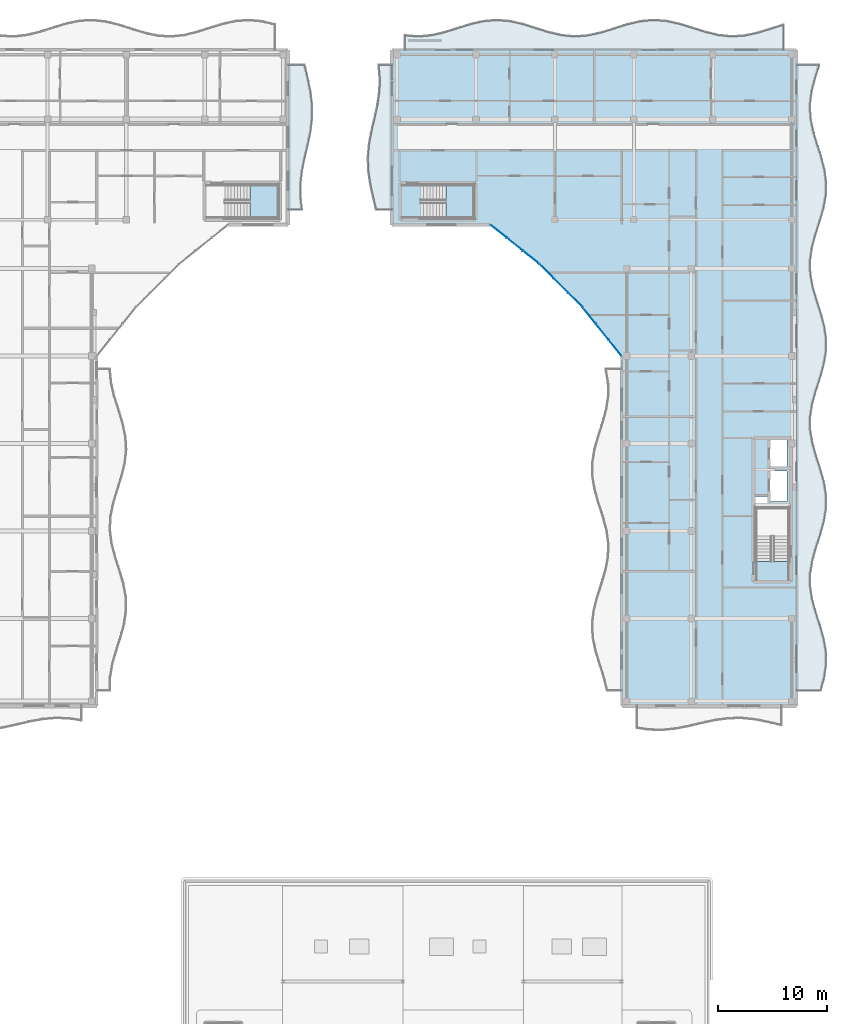
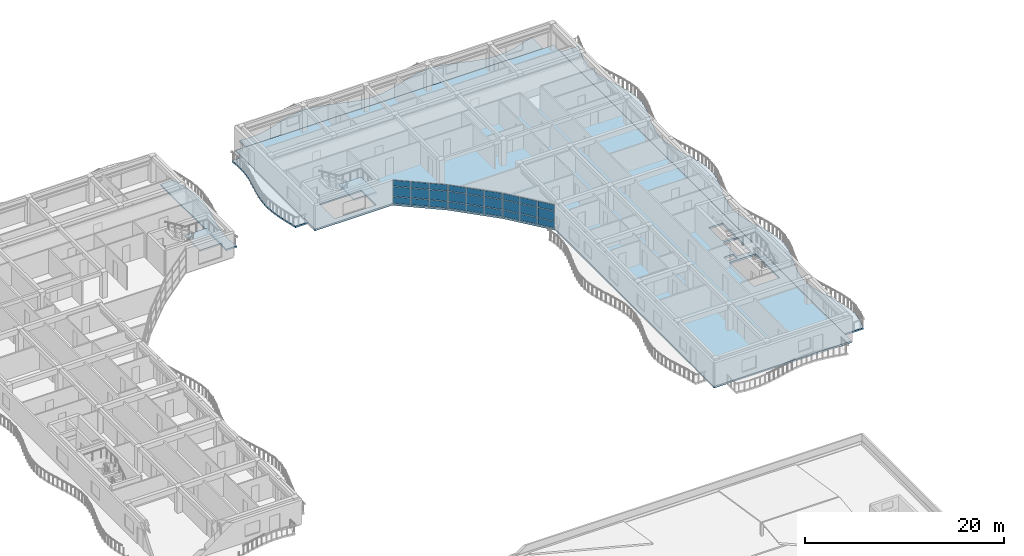
# One storey, part 35 of 79: 27 plates, 7 slabs, 5 elements without a shape of their own.
"""IFC4 building model written with IfcOpenShell, lengths in metres."""

from ifc_helpers import new_model, si_unit, direction, frame, origin, origin_2d, place, context, subcontext, project, spatial, polyline, rectangle, outline, extrude, material, layer, layer_set, type_object, element, aggregate, save


model = new_model("IFC4")

# Units and contexts
model_context = context("Model", 3, precision=1e-05, world=origin(), true_north=direction((0.0, 1.0)))
body_context = subcontext(model_context, "Body", "Model", "MODEL_VIEW")
ifc_project = project(units=[si_unit("LENGTHUNIT", "METRE"), si_unit("AREAUNIT", "SQUARE_METRE"), si_unit("VOLUMEUNIT", "CUBIC_METRE"), si_unit("PLANEANGLEUNIT", "RADIAN"), si_unit("MASSUNIT", "GRAM", prefix="KILO")], contexts=[model_context])

# Site, building, storey
site_placement = place(None, origin())
site = spatial("IfcSite", under=ifc_project, at=site_placement, CompositionType="ELEMENT")
building_placement = place(site_placement, origin())
building = spatial("IfcBuilding", under=site, at=building_placement, Name="Keldmere Railside Commons", CompositionType="ELEMENT")
storey_placement = place(building_placement, frame((0.0, 0.0, 10.56005859375)))
storey = spatial("IfcBuildingStorey", under=building, at=storey_placement, Name="L03", CompositionType="ELEMENT", Elevation=10.56005859375)

# Curtain wall, plates
ifc_material_1 = material(Name="Thermally Broken Aluminium", Category="aluminium")
ifc_layer_1 = layer(ifc_material_1, 0.159912109375, Name="Court Chord Wintergarden CW 5400x2850")
ifc_layer_set_1 = layer_set([ifc_layer_1], Name="Thermally Broken Aluminium")
curtain_wall_type_1 = type_object("IfcCurtainWallType", Name="Court Chord Wintergarden CW 5400x2850", PredefinedType="NOTDEFINED", material=ifc_layer_set_1)
curtain_wall_1_placement = place(storey_placement, origin())
curtain_wall_1 = element("IfcCurtainWall", 1, at=curtain_wall_1_placement, inside=storey, type_object=curtain_wall_type_1, Name="CW-13 CW-L03-166", PredefinedType="NOTDEFINED")
ifc_material_2 = material(Name="Low-E Insulated Double Glazing", Category="glass")
ifc_layer_2 = layer(ifc_material_2, 0.033935546875, Name="Acoustic Laminated Vision Panel 34")
ifc_layer_set_2 = layer_set([ifc_layer_2], Name="Low-E Insulated Double Glazing")
plate_type_1 = type_object("IfcPlateType", Name="Acoustic Laminated Vision Panel 34", PredefinedType="CURTAIN_PANEL", material=ifc_layer_set_2)
plate_1_placement = place(storey_placement, frame((159.678955078125, 97.048583984375, 0.06494140625), z_axis=(0.0, 0.0, 1.0), x_axis=(-0.780009172323, 0.625768080915, 0.0)))
plate_1 = element("IfcPlate", 2, at=plate_1_placement, type_object=plate_type_1, Name="CW-13 panel 1.1", PredefinedType="CURTAIN_PANEL", context=body_context, shape_type="SweptSolid", body=[
    extrude(rectangle(XDim=1.795654296875, YDim=0.033935546875, at=origin_2d()), origin(), (0.0, 0.0, 1.0), 0.802490234375),
])
plate_2_placement = place(storey_placement, frame((159.678955078125, 97.048583984375, 0.932373046875), z_axis=(0.0, 0.0, 1.0), x_axis=(-0.780009172323, 0.625768080915, 0.0)))
plate_2 = element("IfcPlate", 3, at=plate_2_placement, type_object=plate_type_1, Name="CW-13 panel 1.2", PredefinedType="CURTAIN_PANEL", context=body_context, shape_type="SweptSolid", body=[
    extrude(rectangle(XDim=1.795654296875, YDim=0.033935546875, at=origin_2d()), origin(), (0.0, 0.0, 1.0), 1.18505859375),
])
plate_3_placement = place(storey_placement, frame((159.678955078125, 97.048583984375, 2.182373046875), z_axis=(0.0, 0.0, 1.0), x_axis=(-0.780009172323, 0.625768080915, 0.0)))
plate_3 = element("IfcPlate", 4, at=plate_3_placement, type_object=plate_type_1, Name="CW-13 panel 1.3", PredefinedType="CURTAIN_PANEL", context=body_context, shape_type="SweptSolid", body=[
    extrude(rectangle(XDim=1.795654296875, YDim=0.033935546875, at=origin_2d()), origin(), (0.0, 0.0, 1.0), 0.732421875),
])
plate_4_placement = place(storey_placement, frame((158.215087890625, 98.222900390625, 0.06494140625), z_axis=(0.0, 0.0, 1.0), x_axis=(-0.780009172323, 0.625768080915, 0.0)))
plate_4 = element("IfcPlate", 5, at=plate_4_placement, type_object=plate_type_1, Name="CW-13 panel 2.1", PredefinedType="CURTAIN_PANEL", context=body_context, shape_type="SweptSolid", body=[
    extrude(rectangle(XDim=1.828125, YDim=0.033935546875, at=origin_2d()), origin(), (0.0, 0.0, 1.0), 0.802490234375),
])
plate_5_placement = place(storey_placement, frame((158.215087890625, 98.222900390625, 0.932373046875), z_axis=(0.0, 0.0, 1.0), x_axis=(-0.780009172323, 0.625768080915, 0.0)))
plate_5 = element("IfcPlate", 6, at=plate_5_placement, type_object=plate_type_1, Name="CW-13 panel 2.2", PredefinedType="CURTAIN_PANEL", context=body_context, shape_type="SweptSolid", body=[
    extrude(rectangle(XDim=1.828125, YDim=0.033935546875, at=origin_2d()), origin(), (0.0, 0.0, 1.0), 1.18505859375),
])
plate_6_placement = place(storey_placement, frame((158.215087890625, 98.222900390625, 2.182373046875), z_axis=(0.0, 0.0, 1.0), x_axis=(-0.780009172323, 0.625768080915, 0.0)))
plate_6 = element("IfcPlate", 7, at=plate_6_placement, type_object=plate_type_1, Name="CW-13 panel 2.3", PredefinedType="CURTAIN_PANEL", context=body_context, shape_type="SweptSolid", body=[
    extrude(rectangle(XDim=1.828125, YDim=0.033935546875, at=origin_2d()), origin(), (0.0, 0.0, 1.0), 0.732421875),
])
plate_7_placement = place(storey_placement, frame((156.7509765625, 99.3974609375, 0.06494140625), z_axis=(0.0, 0.0, 1.0), x_axis=(-0.780009172323, 0.625768080915, 0.0)))
plate_7 = element("IfcPlate", 8, at=plate_7_placement, type_object=plate_type_1, Name="CW-13 panel 3.1", PredefinedType="CURTAIN_PANEL", context=body_context, shape_type="SweptSolid", body=[
    extrude(rectangle(XDim=1.795654296875, YDim=0.033935546875, at=origin_2d()), origin(), (0.0, 0.0, 1.0), 0.802490234375),
])
plate_8_placement = place(storey_placement, frame((156.7509765625, 99.3974609375, 0.932373046875), z_axis=(0.0, 0.0, 1.0), x_axis=(-0.780009172323, 0.625768080915, 0.0)))
plate_8 = element("IfcPlate", 9, at=plate_8_placement, type_object=plate_type_1, Name="CW-13 panel 3.2", PredefinedType="CURTAIN_PANEL", context=body_context, shape_type="SweptSolid", body=[
    extrude(rectangle(XDim=1.795654296875, YDim=0.033935546875, at=origin_2d()), origin(), (0.0, 0.0, 1.0), 1.18505859375),
])
plate_9_placement = place(storey_placement, frame((156.7509765625, 99.3974609375, 2.182373046875), z_axis=(0.0, 0.0, 1.0), x_axis=(-0.780009172323, 0.625768080915, 0.0)))
plate_9 = element("IfcPlate", 10, at=plate_9_placement, type_object=plate_type_1, Name="CW-13 panel 3.3", PredefinedType="CURTAIN_PANEL", context=body_context, shape_type="SweptSolid", body=[
    extrude(rectangle(XDim=1.795654296875, YDim=0.033935546875, at=origin_2d()), origin(), (0.0, 0.0, 1.0), 0.732421875),
])
aggregate(curtain_wall_1, [plate_1, plate_2, plate_3, plate_4, plate_5, plate_6, plate_7, plate_8, plate_9])

ifc_layer_3 = layer(ifc_material_1, 0.159912109375, Name="Court Chord Wintergarden CW 4800x2850")
ifc_layer_set_3 = layer_set([ifc_layer_3], Name="Thermally Broken Aluminium")
curtain_wall_type_2 = type_object("IfcCurtainWallType", Name="Court Chord Wintergarden CW 4800x2850", PredefinedType="NOTDEFINED", material=ifc_layer_set_3)
curtain_wall_2_placement = place(storey_placement, origin())
curtain_wall_2 = element("IfcCurtainWall", 11, at=curtain_wall_2_placement, inside=storey, type_object=curtain_wall_type_2, Name="CW-12 CW-L03-167", PredefinedType="NOTDEFINED")
ifc_layer_4 = layer(ifc_material_2, 0.031982421875, Name="Clerestory Solar-Control Vision Panel 32")
ifc_layer_set_4 = layer_set([ifc_layer_4], Name="Low-E Insulated Double Glazing")
plate_type_2 = type_object("IfcPlateType", Name="Clerestory Solar-Control Vision Panel 32", PredefinedType="CURTAIN_PANEL", material=ifc_layer_set_4)
plate_10_placement = place(storey_placement, frame((163.76513671875, 93.11083984375, 0.06494140625), z_axis=(0.0, 0.0, 1.0), x_axis=(-0.707106781187, 0.707106781187, 0.0)))
plate_10 = element("IfcPlate", 12, at=plate_10_placement, type_object=plate_type_2, Name="CW-12 panel 1.1", PredefinedType="CURTAIN_PANEL", context=body_context, shape_type="SweptSolid", body=[
    extrude(rectangle(XDim=1.795654296875, YDim=0.031982421875, at=origin_2d()), origin(), (0.0, 0.0, 1.0), 0.802490234375),
])
plate_11_placement = place(storey_placement, frame((163.76513671875, 93.11083984375, 0.932373046875), z_axis=(0.0, 0.0, 1.0), x_axis=(-0.707106781187, 0.707106781187, 0.0)))
plate_11 = element("IfcPlate", 13, at=plate_11_placement, type_object=plate_type_2, Name="CW-12 panel 1.2", PredefinedType="CURTAIN_PANEL", context=body_context, shape_type="SweptSolid", body=[
    extrude(rectangle(XDim=1.795654296875, YDim=0.031982421875, at=origin_2d()), origin(), (0.0, 0.0, 1.0), 1.18505859375),
])
plate_12_placement = place(storey_placement, frame((163.76513671875, 93.11083984375, 2.182373046875), z_axis=(0.0, 0.0, 1.0), x_axis=(-0.707106781187, 0.707106781187, 0.0)))
plate_12 = element("IfcPlate", 14, at=plate_12_placement, type_object=plate_type_2, Name="CW-12 panel 1.3", PredefinedType="CURTAIN_PANEL", context=body_context, shape_type="SweptSolid", body=[
    extrude(rectangle(XDim=1.795654296875, YDim=0.031982421875, at=origin_2d()), origin(), (0.0, 0.0, 1.0), 0.732421875),
])
plate_13_placement = place(storey_placement, frame((162.43798828125, 94.43798828125, 0.06494140625), z_axis=(0.0, 0.0, 1.0), x_axis=(-0.707106781187, 0.707106781187, 0.0)))
plate_13 = element("IfcPlate", 15, at=plate_13_placement, type_object=plate_type_2, Name="CW-12 panel 2.1", PredefinedType="CURTAIN_PANEL", context=body_context, shape_type="SweptSolid", body=[
    extrude(rectangle(XDim=1.828125, YDim=0.031982421875, at=origin_2d()), origin(), (0.0, 0.0, 1.0), 0.802490234375),
])
plate_14_placement = place(storey_placement, frame((162.43798828125, 94.43798828125, 0.932373046875), z_axis=(0.0, 0.0, 1.0), x_axis=(-0.707106781187, 0.707106781187, 0.0)))
plate_14 = element("IfcPlate", 16, at=plate_14_placement, type_object=plate_type_2, Name="CW-12 panel 2.2", PredefinedType="CURTAIN_PANEL", context=body_context, shape_type="SweptSolid", body=[
    extrude(rectangle(XDim=1.828125, YDim=0.031982421875, at=origin_2d()), origin(), (0.0, 0.0, 1.0), 1.18505859375),
])
plate_15_placement = place(storey_placement, frame((162.43798828125, 94.43798828125, 2.182373046875), z_axis=(0.0, 0.0, 1.0), x_axis=(-0.707106781187, 0.707106781187, 0.0)))
plate_15 = element("IfcPlate", 17, at=plate_15_placement, type_object=plate_type_2, Name="CW-12 panel 2.3", PredefinedType="CURTAIN_PANEL", context=body_context, shape_type="SweptSolid", body=[
    extrude(rectangle(XDim=1.828125, YDim=0.031982421875, at=origin_2d()), origin(), (0.0, 0.0, 1.0), 0.732421875),
])
plate_16_placement = place(storey_placement, frame((161.11083984375, 95.76513671875, 0.06494140625), z_axis=(0.0, 0.0, 1.0), x_axis=(-0.707106781187, 0.707106781187, 0.0)))
plate_16 = element("IfcPlate", 18, at=plate_16_placement, type_object=plate_type_2, Name="CW-12 panel 3.1", PredefinedType="CURTAIN_PANEL", context=body_context, shape_type="SweptSolid", body=[
    extrude(rectangle(XDim=1.795654296875, YDim=0.031982421875, at=origin_2d()), origin(), (0.0, 0.0, 1.0), 0.802490234375),
])
plate_17_placement = place(storey_placement, frame((161.11083984375, 95.76513671875, 0.932373046875), z_axis=(0.0, 0.0, 1.0), x_axis=(-0.707106781187, 0.707106781187, 0.0)))
plate_17 = element("IfcPlate", 19, at=plate_17_placement, type_object=plate_type_2, Name="CW-12 panel 3.2", PredefinedType="CURTAIN_PANEL", context=body_context, shape_type="SweptSolid", body=[
    extrude(rectangle(XDim=1.795654296875, YDim=0.031982421875, at=origin_2d()), origin(), (0.0, 0.0, 1.0), 1.18505859375),
])
plate_18_placement = place(storey_placement, frame((161.11083984375, 95.76513671875, 2.182373046875), z_axis=(0.0, 0.0, 1.0), x_axis=(-0.707106781187, 0.707106781187, 0.0)))
plate_18 = element("IfcPlate", 20, at=plate_18_placement, type_object=plate_type_2, Name="CW-12 panel 3.3", PredefinedType="CURTAIN_PANEL", context=body_context, shape_type="SweptSolid", body=[
    extrude(rectangle(XDim=1.795654296875, YDim=0.031982421875, at=origin_2d()), origin(), (0.0, 0.0, 1.0), 0.732421875),
])
aggregate(curtain_wall_2, [plate_10, plate_11, plate_12, plate_13, plate_14, plate_15, plate_16, plate_17, plate_18])

# Stair, slab
ifc_material_3 = material(Name="Concrete H-30 (C30/37)", Category="concrete")
stair_type_1 = type_object("IfcStairType", Name="Basement Garage Dogleg Escape Stair 1450", PredefinedType="HALF_TURN_STAIR", material=ifc_material_3)
stair_1_placement = place(storey_placement, origin())
stair_1 = element("IfcStair", 21, at=stair_1_placement, inside=storey, type_object=stair_type_1, Name="L03 Block B Secondary Escape Stair 2", PredefinedType="HALF_TURN_STAIR")
ifc_layer_5 = layer(ifc_material_3, 0.199951171875, Name="Enclosed Stair Landing Slab 200")
ifc_layer_set_5 = layer_set([ifc_layer_5], Name="Concrete H-30 (C30/37)")
slab_type_1 = type_object("IfcSlabType", Name="Enclosed Stair Landing Slab 200", PredefinedType="LANDING", material=ifc_layer_set_5)
slab_1_placement = place(storey_placement, frame((0.0, 0.0, 1.39990234375)))
slab_1 = element("IfcSlab", 22, at=slab_1_placement, type_object=slab_type_1, Name="ST-B2 landing 1", PredefinedType="LANDING", context=body_context, shape_type="SweptSolid", body=[
    extrude(outline(polyline([(134.02001953125, 100.60009765625), (136.60009765625, 100.60009765625), (136.60009765625, 103.64990234375), (134.02001953125, 103.64990234375), (134.02001953125, 100.60009765625)])), origin(), (0.0, 0.0, 1.0), 0.199951171875),
])
aggregate(stair_1, [slab_1])

stair_type_2 = type_object("IfcStairType", Name="Residential Core Dogleg Stair 1450", PredefinedType="HALF_TURN_STAIR", material=ifc_material_3)
stair_2_placement = place(storey_placement, origin())
stair_2 = element("IfcStair", 23, at=stair_2_placement, inside=storey, type_object=stair_type_2, Name="L03 Block A Secondary Escape Stair 2", PredefinedType="HALF_TURN_STAIR")
slab_2_placement = place(storey_placement, frame((0.0, 0.0, 1.39990234375)))
slab_2 = element("IfcSlab", 24, at=slab_2_placement, type_object=slab_type_1, Name="ST-A2 landing 1", PredefinedType="LANDING", context=body_context, shape_type="SweptSolid", body=[
    extrude(outline(polyline([(151.919921875, 100.60009765625), (154.5, 100.60009765625), (154.5, 103.64990234375), (151.919921875, 103.64990234375), (151.919921875, 100.60009765625)])), origin(), (0.0, 0.0, 1.0), 0.199951171875),
])
aggregate(stair_2, [slab_2])

# Curtain wall, plates
curtain_wall_3_placement = place(storey_placement, origin())
curtain_wall_3 = element("IfcCurtainWall", 25, at=curtain_wall_3_placement, inside=storey, type_object=curtain_wall_type_1, Name="CW-13 CW-L03-168", PredefinedType="NOTDEFINED")
ifc_layer_6 = layer(ifc_material_2, 0.028076171875, Name="Low-E Vision Glazing Panel 28")
ifc_layer_set_6 = layer_set([ifc_layer_6], Name="Low-E Insulated Double Glazing")
plate_type_3 = type_object("IfcPlateType", Name="Low-E Vision Glazing Panel 28", PredefinedType="CURTAIN_PANEL", material=ifc_layer_set_6)
plate_19_placement = place(storey_placement, frame((167.3974609375, 88.7509765625, 0.06494140625), z_axis=(0.0, 0.0, 1.0), x_axis=(-0.625768080915, 0.780009172323, 0.0)))
plate_19 = element("IfcPlate", 26, at=plate_19_placement, type_object=plate_type_3, Name="CW-13 panel 1.1", PredefinedType="CURTAIN_PANEL", context=body_context, shape_type="SweptSolid", body=[
    extrude(rectangle(XDim=1.795654296875, YDim=0.028076171875, at=origin_2d()), origin(), (0.0, 0.0, 1.0), 0.802490234375),
])
plate_20_placement = place(storey_placement, frame((167.3974609375, 88.7509765625, 0.932373046875), z_axis=(0.0, 0.0, 1.0), x_axis=(-0.625768080915, 0.780009172323, 0.0)))
plate_20 = element("IfcPlate", 27, at=plate_20_placement, type_object=plate_type_3, Name="CW-13 panel 1.2", PredefinedType="CURTAIN_PANEL", context=body_context, shape_type="SweptSolid", body=[
    extrude(rectangle(XDim=1.795654296875, YDim=0.028076171875, at=origin_2d()), origin(), (0.0, 0.0, 1.0), 1.18505859375),
])
plate_21_placement = place(storey_placement, frame((167.3974609375, 88.7509765625, 2.182373046875), z_axis=(0.0, 0.0, 1.0), x_axis=(-0.625768080915, 0.780009172323, 0.0)))
plate_21 = element("IfcPlate", 28, at=plate_21_placement, type_object=plate_type_3, Name="CW-13 panel 1.3", PredefinedType="CURTAIN_PANEL", context=body_context, shape_type="SweptSolid", body=[
    extrude(rectangle(XDim=1.795654296875, YDim=0.028076171875, at=origin_2d()), origin(), (0.0, 0.0, 1.0), 0.732421875),
])
plate_22_placement = place(storey_placement, frame((166.222900390625, 90.215087890625, 0.06494140625), z_axis=(0.0, 0.0, 1.0), x_axis=(-0.625768080915, 0.780009172323, 0.0)))
plate_22 = element("IfcPlate", 29, at=plate_22_placement, type_object=plate_type_3, Name="CW-13 panel 2.1", PredefinedType="CURTAIN_PANEL", context=body_context, shape_type="SweptSolid", body=[
    extrude(rectangle(XDim=1.828125, YDim=0.028076171875, at=origin_2d()), origin(), (0.0, 0.0, 1.0), 0.802490234375),
])
plate_23_placement = place(storey_placement, frame((166.222900390625, 90.215087890625, 0.932373046875), z_axis=(0.0, 0.0, 1.0), x_axis=(-0.625768080915, 0.780009172323, 0.0)))
plate_23 = element("IfcPlate", 30, at=plate_23_placement, type_object=plate_type_3, Name="CW-13 panel 2.2", PredefinedType="CURTAIN_PANEL", context=body_context, shape_type="SweptSolid", body=[
    extrude(rectangle(XDim=1.828125, YDim=0.028076171875, at=origin_2d()), origin(), (0.0, 0.0, 1.0), 1.18505859375),
])
plate_24_placement = place(storey_placement, frame((166.222900390625, 90.215087890625, 2.182373046875), z_axis=(0.0, 0.0, 1.0), x_axis=(-0.625768080915, 0.780009172323, 0.0)))
plate_24 = element("IfcPlate", 31, at=plate_24_placement, type_object=plate_type_3, Name="CW-13 panel 2.3", PredefinedType="CURTAIN_PANEL", context=body_context, shape_type="SweptSolid", body=[
    extrude(rectangle(XDim=1.828125, YDim=0.028076171875, at=origin_2d()), origin(), (0.0, 0.0, 1.0), 0.732421875),
])
plate_25_placement = place(storey_placement, frame((165.048583984375, 91.678955078125, 0.06494140625), z_axis=(0.0, 0.0, 1.0), x_axis=(-0.625768080915, 0.780009172323, 0.0)))
plate_25 = element("IfcPlate", 32, at=plate_25_placement, type_object=plate_type_3, Name="CW-13 panel 3.1", PredefinedType="CURTAIN_PANEL", context=body_context, shape_type="SweptSolid", body=[
    extrude(rectangle(XDim=1.795654296875, YDim=0.028076171875, at=origin_2d()), origin(), (0.0, 0.0, 1.0), 0.802490234375),
])
plate_26_placement = place(storey_placement, frame((165.048583984375, 91.678955078125, 0.932373046875), z_axis=(0.0, 0.0, 1.0), x_axis=(-0.625768080915, 0.780009172323, 0.0)))
plate_26 = element("IfcPlate", 33, at=plate_26_placement, type_object=plate_type_3, Name="CW-13 panel 3.2", PredefinedType="CURTAIN_PANEL", context=body_context, shape_type="SweptSolid", body=[
    extrude(rectangle(XDim=1.795654296875, YDim=0.028076171875, at=origin_2d()), origin(), (0.0, 0.0, 1.0), 1.18505859375),
])
plate_27_placement = place(storey_placement, frame((165.048583984375, 91.678955078125, 2.182373046875), z_axis=(0.0, 0.0, 1.0), x_axis=(-0.625768080915, 0.780009172323, 0.0)))
plate_27 = element("IfcPlate", 34, at=plate_27_placement, type_object=plate_type_3, Name="CW-13 panel 3.3", PredefinedType="CURTAIN_PANEL", context=body_context, shape_type="SweptSolid", body=[
    extrude(rectangle(XDim=1.795654296875, YDim=0.028076171875, at=origin_2d()), origin(), (0.0, 0.0, 1.0), 0.732421875),
])
aggregate(curtain_wall_3, [plate_19, plate_20, plate_21, plate_22, plate_23, plate_24, plate_25, plate_26, plate_27])

# Slabs
ifc_layer_7 = layer(ifc_material_3, 0.219970703125, Name="Residential Flat Slab 220")
ifc_layer_set_7 = layer_set([ifc_layer_7], Name="Concrete H-30 (C30/37)")
slab_type_2 = type_object("IfcSlabType", Name="Residential Flat Slab 220", PredefinedType="FLOOR", material=ifc_layer_set_7)
slab_3_placement = place(storey_placement, frame((0.0, 0.0, -0.219970703125)))
element("IfcSlab", 35, at=slab_3_placement, inside=storey, type_object=slab_type_2, Name="FS-2 BLKA-L03-056", PredefinedType="FLOOR", context=body_context, shape_type="SweptSolid", body=[
    extrude(outline(polyline([(168.0, 56.0), (184.0, 56.0), (184.0, 116.0), (147.0, 116.0), (147.0, 100.0), (156.0, 100.0), (160.429931640625, 96.446044921875), (164.446044921875, 92.429931640625), (168.0, 88.0), (168.0, 56.0)]), holes=[polyline([(180.27490234375, 69.22509765625), (180.27490234375, 74.074951171875), (183.27490234375, 74.074951171875), (183.27490234375, 69.22509765625), (180.27490234375, 69.22509765625)]), polyline([(181.320068359375, 74.419921875), (180.219970703125, 74.419921875), (180.219970703125, 75.159912109375), (181.320068359375, 75.159912109375), (181.320068359375, 74.419921875)]), polyline([(181.5, 74.699951171875), (181.5, 77.5), (183.10009765625, 77.5), (183.10009765625, 74.699951171875), (181.5, 74.699951171875)]), polyline([(183.10009765625, 77.75), (181.5, 77.75), (181.5, 80.39990234375), (183.10009765625, 80.39990234375), (183.10009765625, 77.75)]), polyline([(149.625, 103.625), (154.47509765625, 103.625), (154.47509765625, 100.625), (149.625, 100.625), (149.625, 103.625)])]), origin(), (0.0, 0.0, 1.0), 0.219970703125),
])
ifc_material_4 = material(Name="White Precast Concrete H-35 (C35/45)", Category="concrete")
ifc_layer_8 = layer(ifc_material_4, 0.179931640625, Name="Sinusoidal Wave Balcony Slab 180")
ifc_layer_set_8 = layer_set([ifc_layer_8], Name="White Precast Concrete H-35 (C35/45)")
slab_type_3 = type_object("IfcSlabType", Name="Sinusoidal Wave Balcony Slab 180", PredefinedType="FLOOR", material=ifc_layer_set_8)
slab_4_placement = place(storey_placement, frame((0.0, 0.0, -0.18017578125)))
element("IfcSlab", 36, at=slab_4_placement, inside=storey, type_object=slab_type_3, Name="WB-1 B L03 WE Wave Balcony", PredefinedType="FLOOR", context=body_context, shape_type="SweptSolid", body=[
    extrude(outline(polyline([(138.752197265625, 101.39990234375), (138.615478515625, 102.60009765625), (138.622314453125, 103.800048828125), (138.77001953125, 105.0), (139.02001953125, 106.199951171875), (139.304443359375, 107.39990234375), (139.5478515625, 108.60009765625), (139.684326171875, 109.800048828125), (139.677734375, 111.0), (139.52978515625, 112.199951171875), (139.280029296875, 113.39990234375), (138.99560546875, 114.60009765625), (137.5, 114.60009765625), (137.5, 113.39990234375), (137.5, 112.199951171875), (137.5, 111.0), (137.5, 109.800048828125), (137.5, 108.60009765625), (137.5, 107.39990234375), (137.5, 106.199951171875), (137.5, 105.0), (137.5, 103.800048828125), (137.5, 102.60009765625), (137.5, 101.39990234375), (138.752197265625, 101.39990234375)])), origin(), (0.0, 0.0, 1.0), 0.18017578125),
])
slab_5_placement = place(storey_placement, frame((0.0, 0.0, -0.18017578125)))
element("IfcSlab", 37, at=slab_5_placement, inside=storey, type_object=slab_type_3, Name="WB-1 A L03 N Wave Balcony", PredefinedType="FLOOR", context=body_context, shape_type="SweptSolid", body=[
    extrude(outline(polyline([(148.199951171875, 116.0), (149.39306640625, 116.0), (150.586181640625, 116.0), (151.779296875, 116.0), (152.972412109375, 116.0), (154.16552734375, 116.0), (155.358642578125, 116.0), (156.5517578125, 116.0), (157.744873046875, 116.0), (158.93798828125, 116.0), (160.131103515625, 116.0), (161.32421875, 116.0), (162.51708984375, 116.0), (163.710205078125, 116.0), (164.9033203125, 116.0), (166.0966796875, 116.0), (167.289794921875, 116.0), (168.48291015625, 116.0), (169.67578125, 116.0), (170.868896484375, 116.0), (172.06201171875, 116.0), (173.255126953125, 116.0), (174.4482421875, 116.0), (175.641357421875, 116.0), (176.83447265625, 116.0), (178.027587890625, 116.0), (179.220703125, 116.0), (180.413818359375, 116.0), (181.60693359375, 116.0), (182.800048828125, 116.0), (182.800048828125, 118.274658203125), (181.60693359375, 117.895263671875), (180.413818359375, 117.530517578125), (179.220703125, 117.27685546875), (178.027587890625, 117.201416015625), (176.83447265625, 117.32470703125), (175.641357421875, 117.61328125), (174.4482421875, 117.9912109375), (173.255126953125, 118.358154296875), (172.06201171875, 118.6171875), (170.868896484375, 118.69921875), (169.67578125, 118.582763671875), (168.48291015625, 118.298828125), (167.289794921875, 117.92236328125), (166.0966796875, 117.55322265625), (164.9033203125, 117.289306640625), (163.710205078125, 117.2001953125), (162.51708984375, 117.31005859375), (161.32421875, 117.58935546875), (160.131103515625, 117.964111328125), (158.93798828125, 118.335205078125), (157.744873046875, 118.604248046875), (156.5517578125, 118.699951171875), (155.358642578125, 118.596923828125), (154.16552734375, 118.322509765625), (152.972412109375, 117.949462890625), (151.779296875, 117.576416015625), (150.586181640625, 117.302490234375), (149.39306640625, 117.199951171875), (148.199951171875, 117.29638671875), (148.199951171875, 116.0)])), origin(), (0.0, 0.0, 1.0), 0.18017578125),
])
slab_6_placement = place(storey_placement, frame((0.0, 0.0, -0.18017578125)))
element("IfcSlab", 38, at=slab_6_placement, inside=storey, type_object=slab_type_3, Name="WB-1 A L03 CE Wave Balcony", PredefinedType="FLOOR", context=body_context, shape_type="SweptSolid", body=[
    extrude(outline(polyline([(186.18359375, 57.39990234375), (186.5068359375, 58.591796875), (186.682861328125, 59.783203125), (186.665283203125, 60.97509765625), (186.45849609375, 62.166748046875), (186.1171875, 63.3583984375), (185.73193359375, 64.550048828125), (185.404296875, 65.74169921875), (185.220703125, 66.933349609375), (185.22998046875, 68.125), (185.4296875, 69.316650390625), (185.766845703125, 70.50830078125), (186.15234375, 71.699951171875), (186.484375, 72.8916015625), (186.67529296875, 74.083251953125), (186.67431640625, 75.27490234375), (186.48193359375, 76.466796875), (186.14892578125, 77.658203125), (185.763427734375, 78.85009765625), (185.42724609375, 80.041748046875), (185.22900390625, 81.2333984375), (185.2216796875, 82.425048828125), (185.406494140625, 83.61669921875), (185.735107421875, 84.808349609375), (186.12060546875, 86.0), (186.4609375, 87.191650390625), (186.666259765625, 88.38330078125), (186.68212890625, 89.574951171875), (186.504638671875, 90.7666015625), (186.180419921875, 91.958251953125), (185.79541015625, 93.14990234375), (185.451171875, 94.341796875), (185.23876953125, 95.533203125), (185.214599609375, 96.72509765625), (185.384521484375, 97.916748046875), (185.7041015625, 99.1083984375), (186.088623046875, 100.300048828125), (186.4365234375, 101.49169921875), (186.65576171875, 102.683349609375), (186.6884765625, 103.875), (186.52587890625, 105.066650390625), (186.211181640625, 106.25830078125), (185.827392578125, 107.449951171875), (185.47607421875, 108.6416015625), (185.25, 109.833251953125), (185.208740234375, 111.02490234375), (185.363525390625, 112.216796875), (185.67333984375, 113.408203125), (186.056396484375, 114.60009765625), (184.0, 114.60009765625), (184.0, 113.408203125), (184.0, 112.216796875), (184.0, 111.02490234375), (184.0, 109.833251953125), (184.0, 108.6416015625), (184.0, 107.449951171875), (184.0, 106.25830078125), (184.0, 105.066650390625), (184.0, 103.875), (184.0, 102.683349609375), (184.0, 101.49169921875), (184.0, 100.300048828125), (184.0, 99.1083984375), (184.0, 97.916748046875), (184.0, 96.72509765625), (184.0, 95.533203125), (184.0, 94.341796875), (184.0, 93.14990234375), (184.0, 91.958251953125), (184.0, 90.7666015625), (184.0, 89.574951171875), (184.0, 88.38330078125), (184.0, 87.191650390625), (184.0, 86.0), (184.0, 84.808349609375), (184.0, 83.61669921875), (184.0, 82.425048828125), (184.0, 81.2333984375), (184.0, 80.041748046875), (184.0, 78.85009765625), (184.0, 77.658203125), (184.0, 76.466796875), (184.0, 75.27490234375), (184.0, 74.083251953125), (184.0, 72.8916015625), (184.0, 71.699951171875), (184.0, 70.50830078125), (184.0, 69.316650390625), (184.0, 68.125), (184.0, 66.933349609375), (184.0, 65.74169921875), (184.0, 64.550048828125), (184.0, 63.3583984375), (184.0, 62.166748046875), (184.0, 60.97509765625), (184.0, 59.783203125), (184.0, 58.591796875), (184.0, 57.39990234375), (186.18359375, 57.39990234375)])), origin(), (0.0, 0.0, 1.0), 0.18017578125),
])
slab_7_placement = place(storey_placement, frame((0.0, 0.0, -0.18017578125)))
element("IfcSlab", 39, at=slab_7_placement, inside=storey, type_object=slab_type_3, Name="WB-1 A L03 WW Wave Balcony", PredefinedType="FLOOR", context=body_context, shape_type="SweptSolid", body=[
    extrude(outline(polyline([(147.0, 101.39990234375), (147.0, 102.60009765625), (147.0, 103.800048828125), (147.0, 105.0), (147.0, 106.199951171875), (147.0, 107.39990234375), (147.0, 108.60009765625), (147.0, 109.800048828125), (147.0, 111.0), (147.0, 112.199951171875), (147.0, 113.39990234375), (147.0, 114.60009765625), (145.783203125, 114.60009765625), (145.89453125, 113.39990234375), (145.860107421875, 112.199951171875), (145.68896484375, 111.0), (145.427001953125, 109.800048828125), (145.144287109375, 108.60009765625), (144.9169921875, 107.39990234375), (144.805419921875, 106.199951171875), (144.83984375, 105.0), (145.010986328125, 103.800048828125), (145.27294921875, 102.60009765625), (145.5556640625, 101.39990234375), (147.0, 101.39990234375)])), origin(), (0.0, 0.0, 1.0), 0.18017578125),
])

save(model, "model.ifc")
